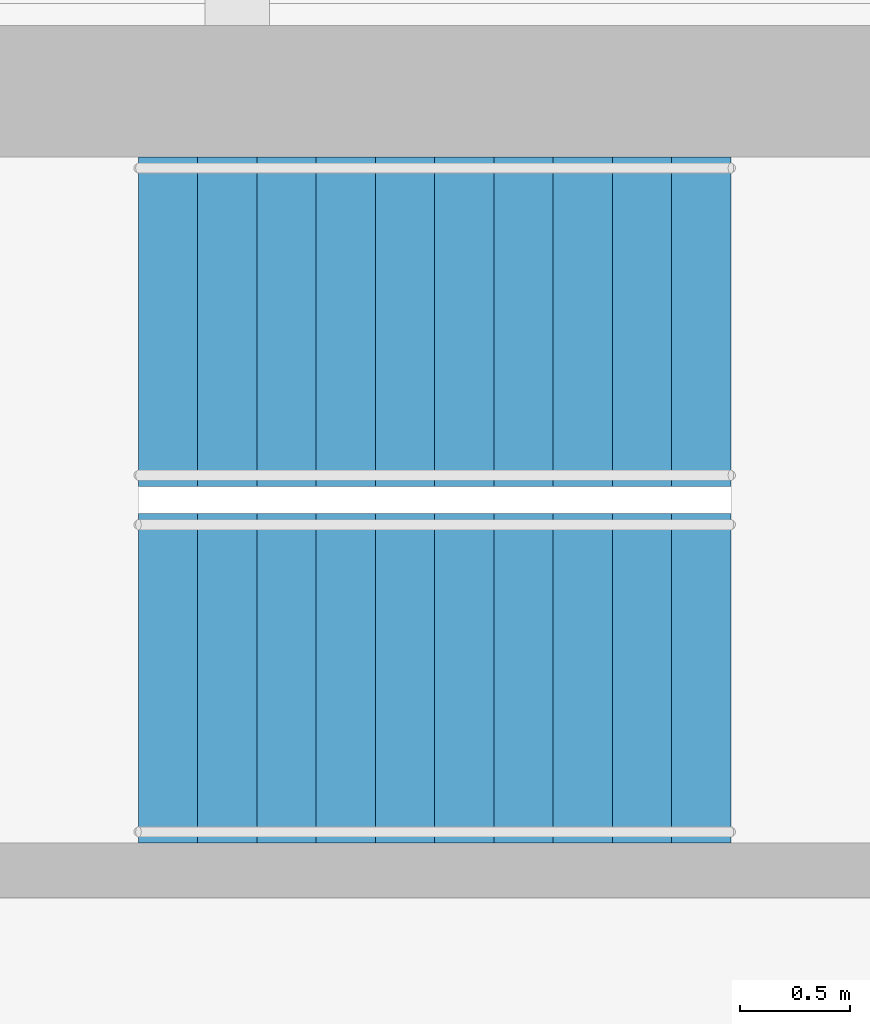
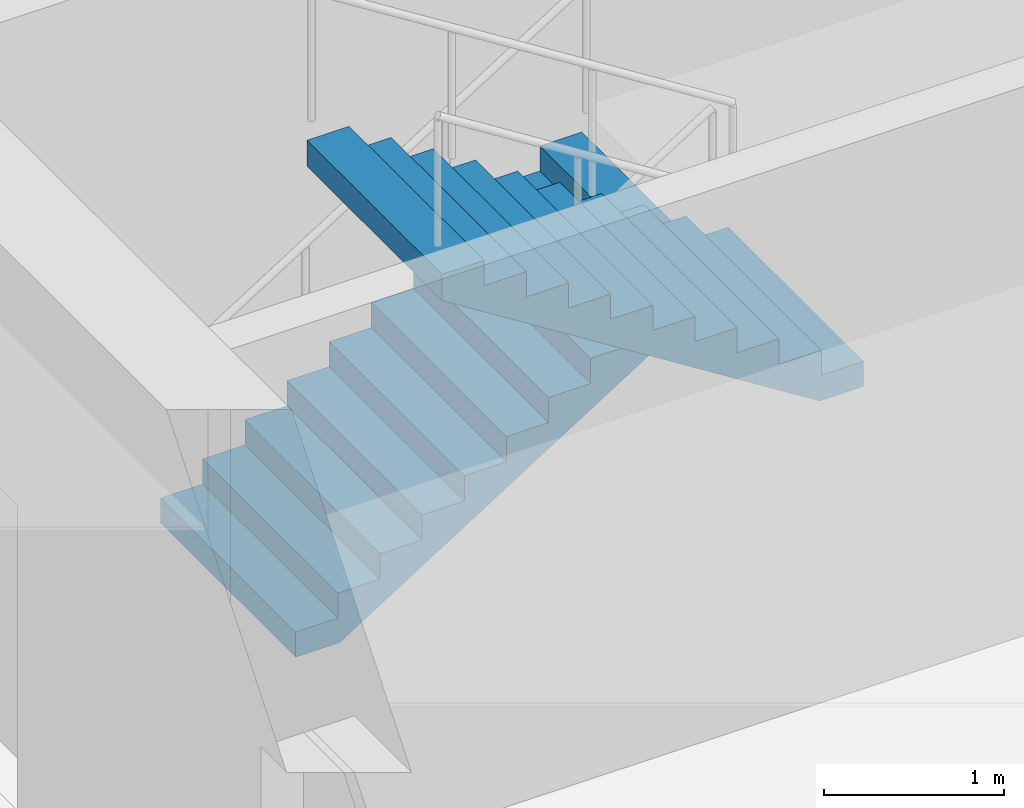
# One storey, part 13 of 18: 2 stair flights, 1 element without a shape of its own.
"""IFC4 building model written with IfcOpenShell, lengths in metres."""

from ifc_helpers import new_model, si_unit, direction, frame, origin, place, context, subcontext, project, spatial, polyline, outline, extrude, material, type_object, element, aggregate, save


model = new_model("IFC4")

# Units and contexts
model_context = context("Model", 3, precision=1e-05, world=origin(), true_north=direction((0.0, 1.0)))
body_context = subcontext(model_context, "Body", "Model", "MODEL_VIEW")
ifc_project = project(units=[si_unit("LENGTHUNIT", "METRE"), si_unit("AREAUNIT", "SQUARE_METRE"), si_unit("VOLUMEUNIT", "CUBIC_METRE"), si_unit("PLANEANGLEUNIT", "RADIAN"), si_unit("MASSUNIT", "GRAM", prefix="KILO")], contexts=[model_context])

# Site, building, storey
site_placement = place(None, origin())
site = spatial("IfcSite", under=ifc_project, at=site_placement, CompositionType="ELEMENT")
building_placement = place(site_placement, origin())
building = spatial("IfcBuilding", under=site, at=building_placement, Name="Msasa Ring Tower", CompositionType="ELEMENT")
storey_placement = place(building_placement, frame((0.0, 0.0, 200.800048828125)))
storey = spatial("IfcBuildingStorey", under=building, at=storey_placement, Name="L52", CompositionType="ELEMENT", Elevation=200.800048828125)

# Stair, stair flights
ifc_material_1 = material(Name="Concrete C40/50", Category="concrete")
stair_type = type_object("IfcStairType", Name="STC CORE STAIR 22 RISERS 170.5", PredefinedType="HALF_TURN_STAIR", material=ifc_material_1)
stair_placement = place(storey_placement, origin())
stair = element("IfcStair", 1, at=stair_placement, inside=storey, type_object=stair_type, Name="Core stair SEB L52", PredefinedType="HALF_TURN_STAIR")
ifc_material_2 = material(Name="Concrete C40/50", Category="concrete")
stair_flight_type = type_object("IfcStairFlightType", Name="ST11 CORE STAIR FLIGHT 1500 11 RISERS 170.5", PredefinedType="STRAIGHT", material=ifc_material_2)
stair_flight_1_placement = place(storey_placement, frame((10.800048828125, 5.699951171875, 0.0), z_axis=(0.0, 0.0, 1.0), x_axis=(1.0, 0.0, 0.0)))
stair_flight_1 = element("IfcStairFlight", 2, at=stair_flight_1_placement, type_object=stair_flight_type, Name="SEB flight 1", NumberOfRisers=11, NumberOfTreads=10, PredefinedType="STRAIGHT", RiserHeight=0.170454545, TreadLength=0.27, context=body_context, shape_type="SweptSolid", body=[
    extrude(outline(polyline([(0.0, 0.0), (0.0, 0.17041015625), (0.27001953125, 0.17041015625), (0.27001953125, 0.3408203125), (0.5400390625, 0.3408203125), (0.5400390625, 0.511474609375), (0.81005859375, 0.511474609375), (0.81005859375, 0.681884765625), (1.080078125, 0.681884765625), (1.080078125, 0.852294921875), (1.35009765625, 0.852294921875), (1.35009765625, 1.022705078125), (1.6201171875, 1.022705078125), (1.6201171875, 1.193115234375), (1.889892578125, 1.193115234375), (1.889892578125, 1.363525390625), (2.159912109375, 1.363525390625), (2.159912109375, 1.5341796875), (2.429931640625, 1.5341796875), (2.429931640625, 1.70458984375), (2.699951171875, 1.70458984375), (2.699951171875, 1.875), (2.699951171875, 1.52734375), (0.28076171875, 0.0), (0.0, 0.0)])), frame((0.0, 0.75, 0.0), z_axis=(0.0, -1.0, 0.0), x_axis=(1.0, 0.0, 0.0)), (0.0, 0.0, 1.0), 1.5),
])
stair_flight_2_placement = place(storey_placement, frame((13.5, 4.074951171875, 1.875), z_axis=(0.0, 0.0, 1.0), x_axis=(-1.0, 0.0, 0.0)))
stair_flight_2 = element("IfcStairFlight", 3, at=stair_flight_2_placement, type_object=stair_flight_type, Name="SEB flight 2", NumberOfRisers=11, NumberOfTreads=10, PredefinedType="STRAIGHT", RiserHeight=0.170454545, TreadLength=0.27, context=body_context, shape_type="SweptSolid", body=[
    extrude(outline(polyline([(0.0, 0.0), (0.0, 0.17041015625), (0.27001953125, 0.17041015625), (0.27001953125, 0.3408203125), (0.5400390625, 0.3408203125), (0.5400390625, 0.511474609375), (0.81005859375, 0.511474609375), (0.81005859375, 0.681884765625), (1.080078125, 0.681884765625), (1.080078125, 0.852294921875), (1.35009765625, 0.852294921875), (1.35009765625, 1.022705078125), (1.6201171875, 1.022705078125), (1.6201171875, 1.193115234375), (1.889892578125, 1.193115234375), (1.889892578125, 1.363525390625), (2.159912109375, 1.363525390625), (2.159912109375, 1.5341796875), (2.429931640625, 1.5341796875), (2.429931640625, 1.70458984375), (2.699951171875, 1.70458984375), (2.699951171875, 1.875), (2.699951171875, 1.52734375), (0.28076171875, 0.0), (0.0, 0.0)])), frame((0.0, 0.75, 0.0), z_axis=(0.0, -1.0, 0.0), x_axis=(1.0, 0.0, 0.0)), (0.0, 0.0, 1.0), 1.5),
])
aggregate(stair, [stair_flight_1, stair_flight_2])

save(model, "model.ifc")
